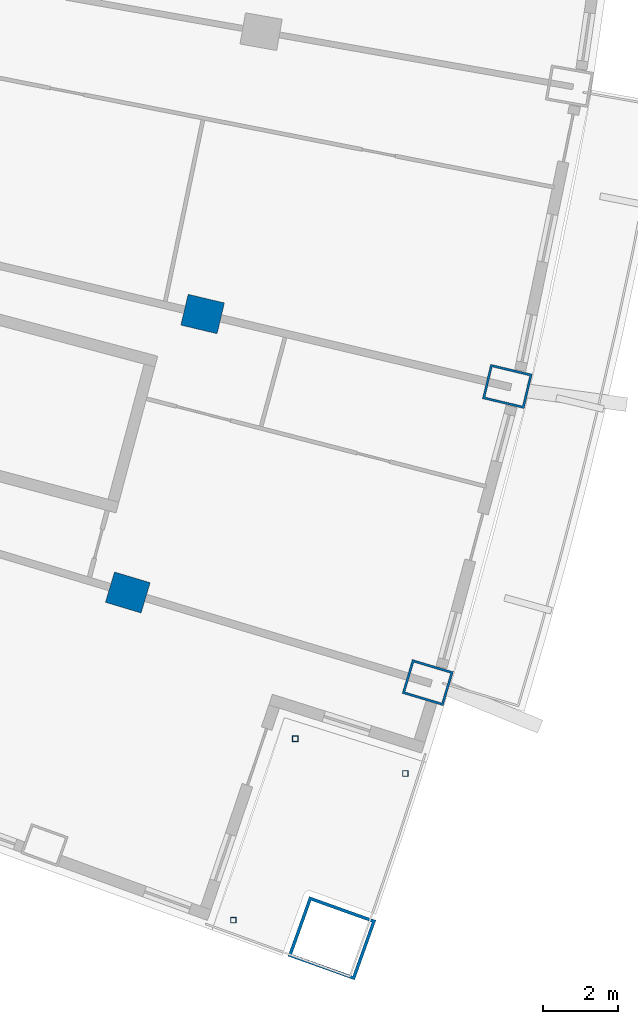
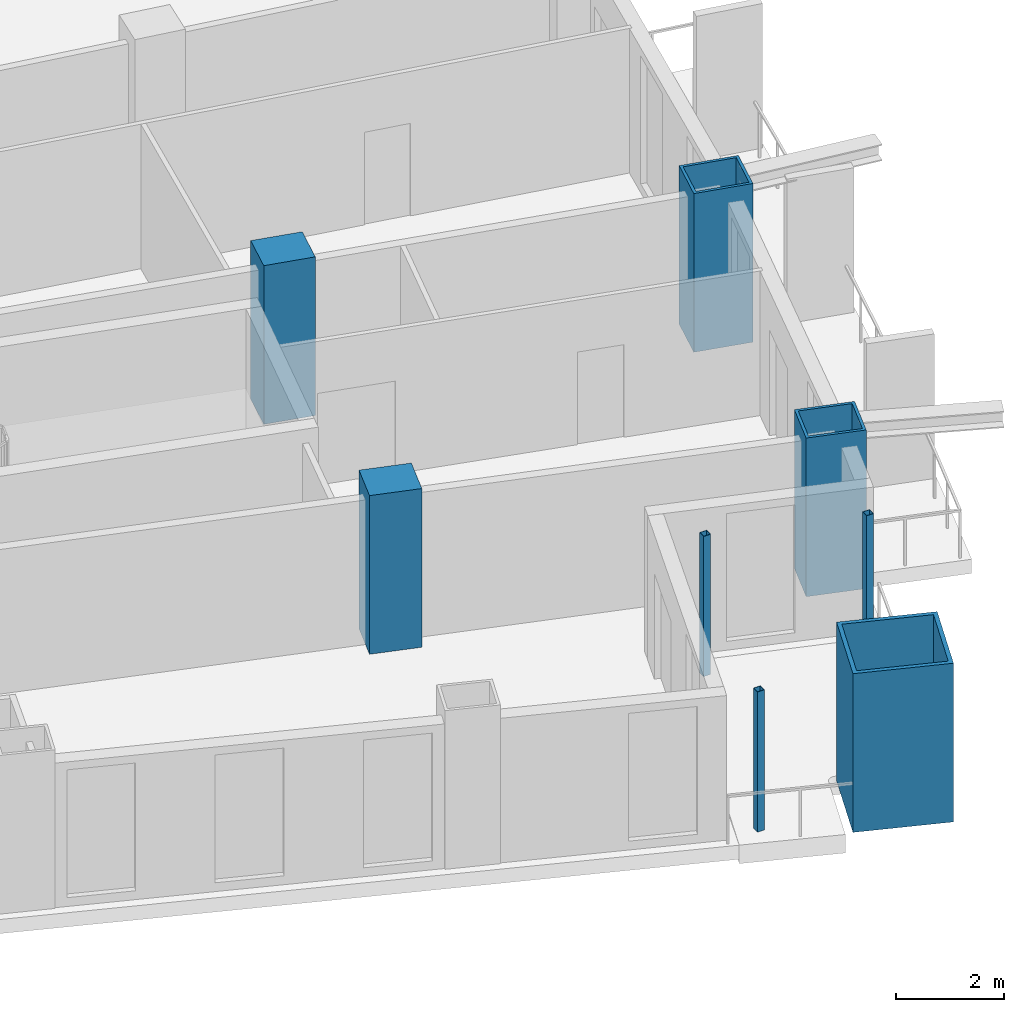
# One storey, part 5 of 25: 8 columns.
"""IFC4 building model written with IfcOpenShell, lengths in metres."""

from ifc_helpers import new_model, si_unit, direction, frame, origin, origin_2d, place, context, subcontext, project, spatial, rectangle, hollow_rectangle, extrude, material, material_profile, profile_set, type_object, element, save


model = new_model("IFC4")

# Units and contexts
model_context = context("Model", 3, precision=1e-05, world=origin(), true_north=direction((0.0, 1.0)))
body_context = subcontext(model_context, "Body", "Model", "MODEL_VIEW")
ifc_project = project(units=[si_unit("LENGTHUNIT", "METRE"), si_unit("AREAUNIT", "SQUARE_METRE"), si_unit("VOLUMEUNIT", "CUBIC_METRE"), si_unit("PLANEANGLEUNIT", "RADIAN"), si_unit("MASSUNIT", "GRAM", prefix="KILO")], contexts=[model_context])

# Site, building, storey
site_placement = place(None, origin())
site = spatial("IfcSite", under=ifc_project, at=site_placement, CompositionType="ELEMENT")
building_placement = place(site_placement, origin())
building = spatial("IfcBuilding", under=site, at=building_placement, Name="Alderwake Tower", CompositionType="ELEMENT")
storey_placement = place(building_placement, frame((0.0, 0.0, 107.60009765625)))
storey = spatial("IfcBuildingStorey", under=building, at=storey_placement, Name="L26", CompositionType="ELEMENT", Elevation=107.60009765625)

# Columns
ifc_material_1 = material(Name="Concrete C70/85", Category="concrete")
ifc_material_profile_1 = material_profile(ifc_material_1, rectangle(XDim=0.85009765625, YDim=1.0, at=origin_2d()), Name="RC 1000X850")
ifc_profile_set_1 = profile_set([ifc_material_profile_1], Name="Concrete C70/85")
column_type_1 = type_object("IfcColumnType", Name="Interior column Z2", PredefinedType="COLUMN", material=ifc_profile_set_1)
for number, where, z_axis, x_axis, name in (
    (1, (46.999755859375, 22.87109375, 0.0), (0.0, 0.0, 1.0), (0.287549418125, 0.957765802342, 0.0), "Column R02-C4"),
    (2, (49.006591796875, 30.340087890625, 0.0), (0.0, 0.0, 1.0), (0.231221547198, 0.972901123502, 0.0), "Column R03-C4"),
):
    element("IfcColumn", number, at=place(storey_placement, frame(where, z_axis=z_axis, x_axis=x_axis)), inside=storey, type_object=column_type_1, Name=name, PredefinedType="COLUMN", context=body_context, shape_type="SweptSolid", body=[
        extrude(rectangle(XDim=0.85009765625, YDim=1.0, at=origin_2d()), origin(), (0.0, 0.0, 1.0), 3.599853515625),
    ])
ifc_material_2 = material(Name="Steel ASTM A500 Grade C", Category="steel")
ifc_material_profile_2 = material_profile(ifc_material_2, hollow_rectangle(XDim=0.15234375, YDim=0.15234375, WallThickness=0.0087890625, at=origin_2d()), Name="HSS6X6X3/8")
ifc_profile_set_2 = profile_set([ifc_material_profile_2], Name="Steel ASTM A500 Grade C")
column_type_2 = type_object("IfcColumnType", Name="Light post HSS6X6X3/8", PredefinedType="COLUMN", material=ifc_profile_set_2)
for number, where, z_axis, x_axis, name in (
    (3, (54.446044921875, 18.0166015625, 0.0), (0.0, 0.0, 1.0), (1.0, 0.0, 0.0), "Terrace post FS1"),
    (4, (49.833984375, 14.0859375, 0.0), (0.0, 0.0, 1.0), (1.0, 0.0, 0.0), "Terrace post FS2"),
    (5, (51.490234375, 18.951171875, 0.0), (0.0, 0.0, 1.0), (1.0, 0.0, 0.0), "Terrace post FS3"),
):
    element("IfcColumn", number, at=place(storey_placement, frame(where, z_axis=z_axis, x_axis=x_axis)), inside=storey, type_object=column_type_2, Name=name, PredefinedType="COLUMN", context=body_context, shape_type="SweptSolid", body=[
        extrude(hollow_rectangle(XDim=0.15234375, YDim=0.15234375, WallThickness=0.0087890625, at=origin_2d()), origin(), (0.0, 0.0, 1.0), 3.179931640625),
    ])
ifc_material_3 = material(Name="Steel ASTM A572 Grade 50 concrete filled C70/85", Category="concrete")
ifc_material_profile_3 = material_profile(ifc_material_3, hollow_rectangle(XDim=1.699951171875, YDim=1.89990234375, WallThickness=0.0849609375, at=origin_2d()), Name="BOX 1900X1700X85")
ifc_profile_set_3 = profile_set([ifc_material_profile_3], Name="Steel ASTM A572 Grade 50 concrete filled C70/85")
column_type_3 = type_object("IfcColumnType", Name="Mega column Z2", PredefinedType="COLUMN", material=ifc_profile_set_3)
column_placement = place(storey_placement, frame((52.47509765625, 13.598876953125, 0.0), z_axis=(0.0, 0.0, 1.0), x_axis=(0.336894783301, 0.941542301219, 0.0)))
element("IfcColumn", 6, at=column_placement, inside=storey, type_object=column_type_3, Name="Column R01-C5", PredefinedType="COLUMN", context=body_context, shape_type="SweptSolid", body=[
    extrude(hollow_rectangle(XDim=1.699951171875, YDim=1.89990234375, WallThickness=0.0849609375, at=origin_2d()), origin(), (0.0, 0.0, 1.0), 3.599853515625),
])
ifc_material_4 = material(Name="Steel ASTM A572 Grade 50 concrete filled C70/85", Category="concrete")
ifc_material_profile_4 = material_profile(ifc_material_4, hollow_rectangle(XDim=0.949951171875, YDim=1.14990234375, WallThickness=0.06005859375, at=origin_2d()), Name="BOX 1150X950X60")
ifc_profile_set_4 = profile_set([ifc_material_profile_4], Name="Steel ASTM A572 Grade 50 concrete filled C70/85")
column_type_4 = type_object("IfcColumnType", Name="Perimeter column Z2", PredefinedType="COLUMN", material=ifc_profile_set_4)
for number, where, z_axis, x_axis, name in (
    (7, (55.044921875, 20.45556640625, 0.0), (0.0, 0.0, 1.0), (0.287549418125, 0.957765802342, 0.0), "Column R02-C5"),
    (8, (57.178955078125, 28.397705078125, 0.0), (0.0, 0.0, 1.0), (0.231221547198, 0.972901123502, 0.0), "Column R03-C5"),
):
    element("IfcColumn", number, at=place(storey_placement, frame(where, z_axis=z_axis, x_axis=x_axis)), inside=storey, type_object=column_type_4, Name=name, PredefinedType="COLUMN", context=body_context, shape_type="SweptSolid", body=[
        extrude(hollow_rectangle(XDim=0.949951171875, YDim=1.14990234375, WallThickness=0.06005859375, at=origin_2d()), origin(), (0.0, 0.0, 1.0), 3.599853515625),
    ])

save(model, "model.ifc")
